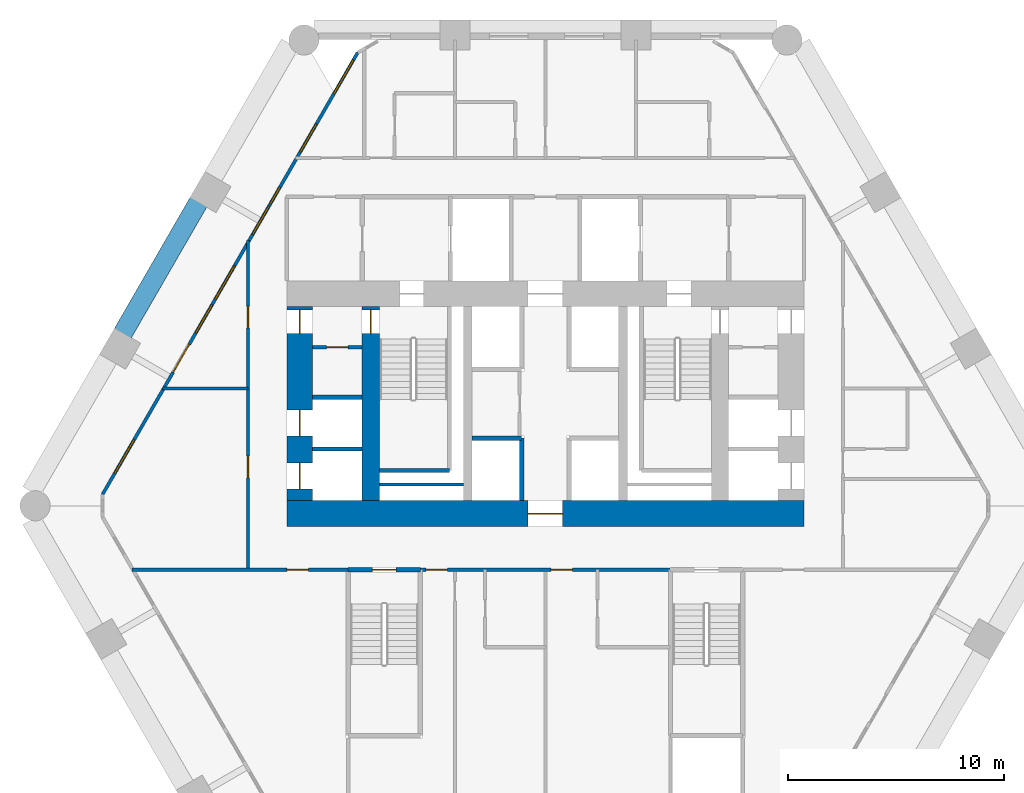
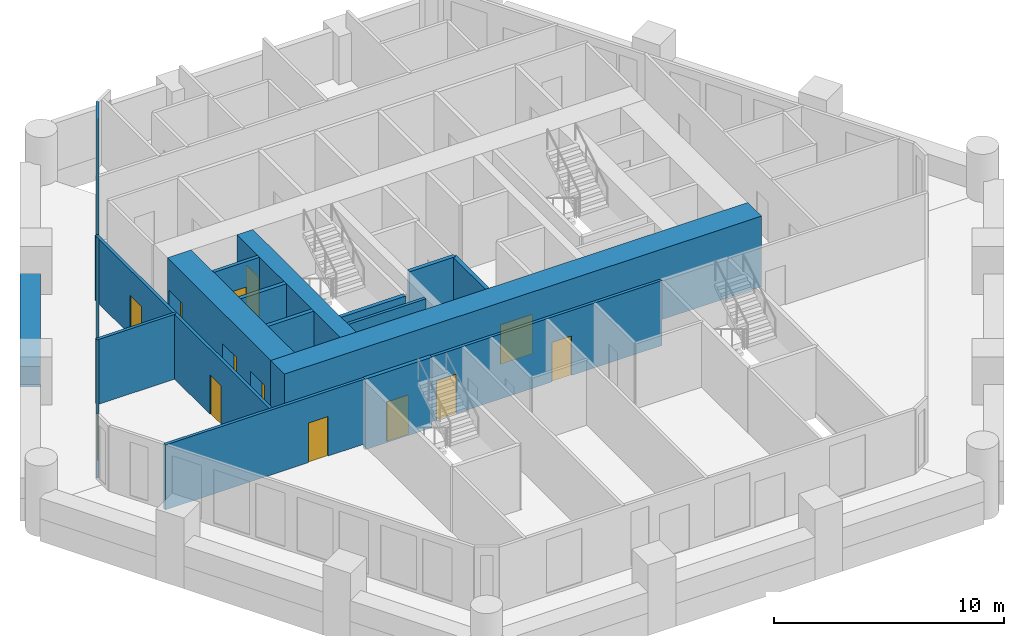
# One storey, part 3 of 8: 17 walls, 13 doors, 7 windows, 20 openings.
"""IFC4 building model written with IfcOpenShell, lengths in metres."""

import ifcopenshell
import ifcopenshell.guid

model = None  # the IFC model being written
_history = None  # IfcOwnerHistory: only IFC2X3 demands one
_inside = {}  # id of a spatial element -> (the spatial element, [elements in it])
_under = {}  # id of a project, library or spatial element -> (it, [spatial elements below it])
_declared = {}  # id of a project -> (the project, [libraries it declares])
_typed = {}  # id of a type object -> (the type object, [elements of that type])
_made_of = {}  # id of a material, layer set ... -> (it, [elements and type objects made of it])


def new_model(schema):
    """Start an empty IFC model of exactly this schema.

    Asked for "IFC4X3", IfcOpenShell would pick the latest addendum, in which some entities
    have other attributes; the version numbers below select the first issue.
    IFC2X3 requires an IfcOwnerHistory on every rooted entity: one is made here for all.
    """
    global model, _history
    if schema == "IFC4X3":
        model = ifcopenshell.file(schema_version=(4, 3, 0, 0))
    else:
        model = ifcopenshell.file(schema=schema)
    _inside.clear()
    _under.clear()
    _declared.clear()
    _typed.clear()
    _made_of.clear()
    _history = None
    if model.schema == "IFC2X3":
        org = make("IfcOrganization", Name="unknown")
        user = make(
            "IfcPersonAndOrganization",
            ThePerson=make("IfcPerson", FamilyName="unknown"),
            TheOrganization=org,
        )
        app = make(
            "IfcApplication",
            ApplicationDeveloper=org,
            Version="unknown",
            ApplicationFullName="unknown",
            ApplicationIdentifier="unknown",
        )
        _history = make(
            "IfcOwnerHistory",
            OwningUser=user,
            OwningApplication=app,
            ChangeAction="ADDED",
            CreationDate=0,
        )
    return model


def make(cls, **values):
    """One entity of the class cls with the attributes given. An attribute that is None is left unset."""
    return model.create_entity(
        cls, **{name: value for name, value in values.items() if value is not None}
    )


def rooted(cls, **values):
    """An entity with a GlobalId (a new one), such as an element, a storey or a relation."""
    return make(cls, GlobalId=ifcopenshell.guid.new(), OwnerHistory=_history, **values)


def si_unit(unit_type, name, prefix=None):
    """IfcSIUnit, for example si_unit("LENGTHUNIT", "METRE", prefix="MILLI")."""
    return make("IfcSIUnit", UnitType=unit_type, Prefix=prefix, Name=name)


def assignment(units):
    """IfcUnitAssignment: the units of a project."""
    return None if units is None else make("IfcUnitAssignment", Units=units)


def point(xyz):
    """IfcCartesianPoint."""
    return None if xyz is None else make("IfcCartesianPoint", Coordinates=xyz)


def direction(xyz):
    """IfcDirection."""
    return None if xyz is None else make("IfcDirection", DirectionRatios=xyz)


def frame(location, z_axis=None, x_axis=None):
    """IfcAxis2Placement3D, a coordinate frame: its origin and axes. An axis left out is left unset."""
    return make(
        "IfcAxis2Placement3D",
        Location=point(location),
        Axis=direction(z_axis),
        RefDirection=direction(x_axis),
    )


def frame_2d(location, x_axis=None):
    """IfcAxis2Placement2D, a coordinate frame in the plane: its origin and x axis."""
    return make(
        "IfcAxis2Placement2D", Location=point(location), RefDirection=direction(x_axis)
    )


def origin():
    """The frame at (0, 0, 0) with its axes left unset."""
    return frame((0.0, 0.0, 0.0))


def place(relative_to, where):
    """IfcLocalPlacement: puts the frame where relative to a parent placement (None: the world)."""
    return make(
        "IfcLocalPlacement", PlacementRelTo=relative_to, RelativePlacement=where
    )


def context(
    kind, dimensions, precision=None, world=None, true_north=None, identifier=None
):
    """IfcGeometricRepresentationContext, for example the 3D "Model" context."""
    return make(
        "IfcGeometricRepresentationContext",
        ContextIdentifier=identifier,
        ContextType=kind,
        CoordinateSpaceDimension=dimensions,
        Precision=precision,
        WorldCoordinateSystem=world,
        TrueNorth=true_north,
    )


def subcontext(parent, identifier, kind, view, scale=None):
    """IfcGeometricRepresentationSubContext, for example "Body" below "Model"."""
    return make(
        "IfcGeometricRepresentationSubContext",
        ContextIdentifier=identifier,
        ContextType=kind,
        ParentContext=parent,
        TargetScale=scale,
        TargetView=view,
    )


def project(units=None, contexts=None):
    """IfcProject with its units and contexts."""
    return rooted(
        "IfcProject",
        Name="project",
        RepresentationContexts=contexts,
        UnitsInContext=assignment(units),
    )


def spatial(cls, under=None, at=None, **own):
    """A site, building, storey or space (cls), placed at a placement, below another one or the project."""
    s = rooted(cls, ObjectPlacement=at, **own)
    if under is not None:
        _under.setdefault(under.id(), (under, []))[1].append(s)
    return s


def profile(cls, at=None, kind="AREA", **sizes):
    """A parametric profile (cls). Its sizes go by their IFC names, for example OverallWidth=200.0."""
    return make(cls, ProfileType=kind, Position=at, **sizes)


def rectangle(**sizes):
    """IfcRectangleProfileDef."""
    return profile("IfcRectangleProfileDef", **sizes)


def extrude(swept, where, along, depth):
    """IfcExtrudedAreaSolid: the profile swept, set in the frame where, extruded along a direction by depth."""
    return make(
        "IfcExtrudedAreaSolid",
        SweptArea=swept,
        Position=where,
        ExtrudedDirection=direction(along),
        Depth=depth,
    )


def shape(context_of_items, identifier, shape_type, items):
    """IfcShapeRepresentation: the items that make up one representation, for example the "Body"."""
    return make(
        "IfcShapeRepresentation",
        ContextOfItems=context_of_items,
        RepresentationIdentifier=identifier,
        RepresentationType=shape_type,
        Items=items,
    )


def material(Name=None, Category=None):
    """IfcMaterial."""
    return make("IfcMaterial", Name=Name, Category=Category)


def layer(
    of_material, thickness, ventilated=None, Name=None, Category=None, Priority=None
):
    """IfcMaterialLayer: one layer of a wall or slab, of a material (None: an air gap)."""
    return make(
        "IfcMaterialLayer",
        Material=of_material,
        LayerThickness=thickness,
        IsVentilated=ventilated,
        Name=Name,
        Category=Category,
        Priority=Priority,
    )


def layer_set(layers, Name=None):
    """IfcMaterialLayerSet."""
    return make("IfcMaterialLayerSet", MaterialLayers=layers, LayerSetName=Name)


def made_of(thing, what):
    """Note that an element or type object is made of a material, layer set ...; save() writes the relation."""
    if what is not None:
        _made_of.setdefault(what.id(), (what, []))[1].append(thing)
    return thing


def type_object(cls, material=None, **own):
    """A type object (cls), such as IfcWallType, which elements share."""
    return made_of(rooted(cls, **own), material)


def element(
    cls,
    number,
    at=None,
    inside=None,
    cuts=None,
    type_object=None,
    material=None,
    context=None,
    identifier="Body",
    shape_type=None,
    held_by="IfcProductDefinitionShape",
    body=None,
    shapes=None,
    **own,
):
    """One element of the class cls, such as IfcWall. Its Tag is "e" and its number.

    at: its placement. inside: the storey or other place that contains it. cuts: it is an
    opening in that element (IfcRelVoidsElement). A single representation is given by context,
    identifier, shape_type and body (its items); several are given by shapes. held_by: the class
    of the entity that holds the representations. save() writes the other relations.
    """
    e = rooted(cls, Tag="e%d" % number, ObjectPlacement=at, **own)
    if body is not None:
        shapes = [shape(context, identifier, shape_type, body)]
    if shapes is not None:
        e.Representation = make(held_by, Representations=shapes)
    if inside is not None:
        _inside.setdefault(inside.id(), (inside, []))[1].append(e)
    if cuts is not None:
        rooted(
            "IfcRelVoidsElement", RelatingBuildingElement=cuts, RelatedOpeningElement=e
        )
    if type_object is not None:
        _typed.setdefault(type_object.id(), (type_object, []))[1].append(e)
    return made_of(e, material)


def fill(opening, filler):
    """IfcRelFillsElement: the door or window that sits in an opening."""
    return rooted(
        "IfcRelFillsElement",
        RelatingOpeningElement=opening,
        RelatedBuildingElement=filler,
    )


def aggregate(whole, parts):
    """IfcRelAggregates: a whole, such as a stair, and the parts it consists of."""
    return rooted("IfcRelAggregates", RelatingObject=whole, RelatedObjects=parts)


def save(model, path):
    """Write the relations noted so far, then the file.

    IfcRelAggregates (storeys below a building ...), IfcRelContainedInSpatialStructure (elements
    in a storey), IfcRelDefinesByType, IfcRelAssociatesMaterial and IfcRelDeclares: one each for
    every whole, place, type object, material and project.
    """
    for whole, parts in _under.values():
        aggregate(whole, parts)
    for where, things in _inside.values():
        rooted(
            "IfcRelContainedInSpatialStructure",
            RelatedElements=things,
            RelatingStructure=where,
        )
    for kind, things in _typed.values():
        rooted("IfcRelDefinesByType", RelatedObjects=things, RelatingType=kind)
    for what, things in _made_of.values():
        rooted("IfcRelAssociatesMaterial", RelatedObjects=things, RelatingMaterial=what)
    for by, libraries in _declared.values():
        rooted("IfcRelDeclares", RelatingContext=by, RelatedDefinitions=libraries)
    model.write(path)


model = new_model("IFC4")

# Units and contexts
model_context = context("Model", 3, precision=1e-05, world=origin(), true_north=direction((0.0, 1.0)))
body_context = subcontext(model_context, "Body", "Model", "MODEL_VIEW")
ifc_project = project(units=[si_unit("LENGTHUNIT", "METRE"), si_unit("AREAUNIT", "SQUARE_METRE"), si_unit("VOLUMEUNIT", "CUBIC_METRE"), si_unit("PLANEANGLEUNIT", "RADIAN"), si_unit("MASSUNIT", "GRAM", prefix="KILO")], contexts=[model_context])

# Site, building, storey
site_placement = place(None, origin())
site = spatial("IfcSite", under=ifc_project, at=site_placement, CompositionType="ELEMENT")
building_placement = place(site_placement, origin())
building = spatial("IfcBuilding", under=site, at=building_placement, Name="Ostrander Bayou Hotel Tower", CompositionType="ELEMENT")
storey_placement = place(building_placement, frame((0.0, 0.0, 61.75)))
storey = spatial("IfcBuildingStorey", under=building, at=storey_placement, Name="L15", CompositionType="ELEMENT", Elevation=61.75)

# Wall, opening, door
ifc_material_1 = material(Name="Concrete f'c 70 MPa", Category="concrete")
ifc_layer_1 = layer(ifc_material_1, 1.199951171875)
ifc_layer_set_1 = layer_set([ifc_layer_1], Name="CW1 core wall 1200 mm f'c 70 MPa")
wall_type_1 = type_object("IfcWallType", Name="CW1 core wall 1200 mm f'c 70 MPa", PredefinedType="SHEAR", material=ifc_layer_set_1)
wall_1_placement = place(storey_placement, frame((-12.0, -1.10009765625, -0.300048828125), z_axis=(0.0, 0.0, 1.0), x_axis=(1.0, 0.0, 0.0)))
wall_1 = element("IfcWall", 1, at=wall_1_placement, inside=storey, type_object=wall_type_1, Name="CW1 L15 S", PredefinedType="SHEAR", context=body_context, shape_type="SweptSolid", body=[
    extrude(rectangle(XDim=24.0, YDim=1.199951171875, at=frame_2d((12.0, 0.0))), origin(), (0.0, 0.0, 1.0), 3.75),
])
opening_1_placement = place(wall_1_placement, frame((11.199951171875, 0.0, 0.0)))
opening_1 = element("IfcOpeningElement", 2, at=opening_1_placement, cuts=wall_1, Name="Opening T15-001", PredefinedType="OPENING", context=body_context, shape_type="SweptSolid", body=[
    extrude(rectangle(XDim=1.60009765625, YDim=2.10009765625, at=frame_2d((0.800048828125, 1.050048828125))), frame((0.0, 0.60009765625, 0.0), z_axis=(0.0, -1.0, 0.0), x_axis=(1.0, 0.0, 0.0)), (0.0, 0.0, 1.0), 1.199951171875),
])
ifc_material_2 = material(Name="Timber door leaf", Category="wood")
door_type_1 = type_object("IfcDoorType", Name="D13 double door 1600 x 2100 mm, 1 hour", OperationType="SINGLE_SWING_LEFT", PredefinedType="DOOR", material=ifc_material_2)
door_1_placement = place(opening_1_placement, origin())
door_1 = element("IfcDoor", 3, at=door_1_placement, inside=storey, type_object=door_type_1, Name="dr:L15:001", OperationType="DOUBLE_DOOR_SINGLE_SWING", OverallHeight=2.10009765625, OverallWidth=1.60009765625, PredefinedType="DOOR", context=body_context, shape_type="SweptSolid", body=[
    extrude(rectangle(XDim=1.60009765625, YDim=2.10009765625, at=frame_2d((0.800048828125, 1.050048828125))), frame((0.0, 0.02490234375, 0.0), z_axis=(0.0, -1.0, 0.0), x_axis=(1.0, 0.0, 0.0)), (0.0, 0.0, 1.0), 0.050048828125),
])
fill(opening_1, door_1)

# Wall, openings, doors
wall_2_placement = place(storey_placement, frame((-11.39990234375, -0.5, -0.300048828125), z_axis=(0.0, 0.0, 1.0), x_axis=(0.0, 1.0, 0.0)))
wall_2 = element("IfcWall", 4, at=wall_2_placement, inside=storey, type_object=wall_type_1, Name="CW1 L15 RW", PredefinedType="SHEAR", context=body_context, shape_type="SweptSolid", body=[
    extrude(rectangle(XDim=9.0, YDim=1.199951171875, at=frame_2d((4.5, 0.0))), origin(), (0.0, 0.0, 1.0), 3.75),
])
opening_2_placement = place(wall_2_placement, frame((7.75, 0.0, 0.0)))
opening_2 = element("IfcOpeningElement", 5, at=opening_2_placement, cuts=wall_2, Name="Opening T15-016", PredefinedType="OPENING", context=body_context, shape_type="SweptSolid", body=[
    extrude(rectangle(XDim=1.10009765625, YDim=2.10009765625, at=frame_2d((0.550048828125, 1.050048828125))), frame((0.0, 0.60009765625, 0.0), z_axis=(0.0, -1.0, 0.0), x_axis=(1.0, 0.0, 0.0)), (0.0, 0.0, 1.0), 1.199951171875),
])
opening_3_placement = place(wall_2_placement, frame((0.550048828125, 0.0, 0.0)))
opening_3 = element("IfcOpeningElement", 6, at=opening_3_placement, cuts=wall_2, Name="Opening T15-017", PredefinedType="OPENING", context=body_context, shape_type="SweptSolid", body=[
    extrude(rectangle(XDim=1.199951171875, YDim=2.10009765625, at=frame_2d((0.60009765625, 1.050048828125))), frame((0.0, 0.60009765625, 0.0), z_axis=(0.0, -1.0, 0.0), x_axis=(1.0, 0.0, 0.0)), (0.0, 0.0, 1.0), 1.199951171875),
])
opening_4_placement = place(wall_2_placement, frame((3.0, 0.0, 0.0)))
opening_4 = element("IfcOpeningElement", 7, at=opening_4_placement, cuts=wall_2, Name="Opening T15-018", PredefinedType="OPENING", context=body_context, shape_type="SweptSolid", body=[
    extrude(rectangle(XDim=1.199951171875, YDim=2.10009765625, at=frame_2d((0.60009765625, 1.050048828125))), frame((0.0, 0.60009765625, 0.0), z_axis=(0.0, -1.0, 0.0), x_axis=(1.0, 0.0, 0.0)), (0.0, 0.0, 1.0), 1.199951171875),
])
ifc_material_3 = material(Name="Timber door leaf", Category="wood")
door_type_2 = type_object("IfcDoorType", Name="D5 stair door 1100 x 2100 mm, 90 minute", OperationType="SINGLE_SWING_LEFT", PredefinedType="DOOR", material=ifc_material_3)
door_2_placement = place(opening_2_placement, origin())
door_2 = element("IfcDoor", 8, at=door_2_placement, inside=storey, type_object=door_type_2, Name="dr:L15:016", OperationType="SINGLE_SWING_LEFT", OverallHeight=2.10009765625, OverallWidth=1.10009765625, PredefinedType="DOOR", context=body_context, shape_type="SweptSolid", body=[
    extrude(rectangle(XDim=1.10009765625, YDim=2.10009765625, at=frame_2d((0.550048828125, 1.050048828125))), frame((0.0, 0.02490234375, 0.0), z_axis=(0.0, -1.0, 0.0), x_axis=(1.0, 0.0, 0.0)), (0.0, 0.0, 1.0), 0.050048828125),
])
fill(opening_2, door_2)
ifc_material_4 = material(Name="Stainless steel sliding door", Category="steel")
door_type_3 = type_object("IfcDoorType", Name="LD1 lift landing door 1200 x 2100 mm", OperationType="SINGLE_SWING_LEFT", PredefinedType="DOOR", material=ifc_material_4)
door_3_placement = place(opening_3_placement, origin())
door_3 = element("IfcDoor", 9, at=door_3_placement, inside=storey, type_object=door_type_3, Name="dr:L15:017", OperationType="SLIDING_TO_LEFT", OverallHeight=2.10009765625, OverallWidth=1.199951171875, PredefinedType="DOOR", context=body_context, shape_type="SweptSolid", body=[
    extrude(rectangle(XDim=1.199951171875, YDim=2.10009765625, at=frame_2d((0.60009765625, 1.050048828125))), frame((0.0, 0.02490234375, 0.0), z_axis=(0.0, -1.0, 0.0), x_axis=(1.0, 0.0, 0.0)), (0.0, 0.0, 1.0), 0.050048828125),
])
fill(opening_3, door_3)
door_4_placement = place(opening_4_placement, origin())
door_4 = element("IfcDoor", 10, at=door_4_placement, inside=storey, type_object=door_type_3, Name="dr:L15:018", OperationType="SLIDING_TO_LEFT", OverallHeight=2.10009765625, OverallWidth=1.199951171875, PredefinedType="DOOR", context=body_context, shape_type="SweptSolid", body=[
    extrude(rectangle(XDim=1.199951171875, YDim=2.10009765625, at=frame_2d((0.60009765625, 1.050048828125))), frame((0.0, 0.02490234375, 0.0), z_axis=(0.0, -1.0, 0.0), x_axis=(1.0, 0.0, 0.0)), (0.0, 0.0, 1.0), 0.050048828125),
])
fill(opening_4, door_4)

# Wall, opening, door
ifc_material_5 = material(Name="Concrete f'c 70 MPa", Category="concrete")
ifc_layer_2 = layer(ifc_material_5, 0.800048828125)
ifc_layer_set_2 = layer_set([ifc_layer_2], Name="CW2 core spine wall 800 mm f'c 70 MPa")
wall_type_2 = type_object("IfcWallType", Name="CW2 core spine wall 800 mm f'c 70 MPa", PredefinedType="SHEAR", material=ifc_layer_set_2)
wall_3_placement = place(storey_placement, frame((-8.10009765625, -0.5, -0.300048828125), z_axis=(0.0, 0.0, 1.0), x_axis=(0.0, 1.0, 0.0)))
wall_3 = element("IfcWall", 11, at=wall_3_placement, inside=storey, type_object=wall_type_2, Name="CW2 L15 W", PredefinedType="SHEAR", context=body_context, shape_type="SweptSolid", body=[
    extrude(rectangle(XDim=9.0, YDim=0.800048828125, at=frame_2d((4.5, 0.0))), origin(), (0.0, 0.0, 1.0), 3.75),
])
opening_5_placement = place(wall_3_placement, frame((7.75, 0.0, 0.0)))
opening_5 = element("IfcOpeningElement", 12, at=opening_5_placement, cuts=wall_3, Name="Opening T15-004", PredefinedType="OPENING", context=body_context, shape_type="SweptSolid", body=[
    extrude(rectangle(XDim=1.10009765625, YDim=2.10009765625, at=frame_2d((0.550048828125, 1.050048828125))), frame((0.0, 0.39990234375, 0.0), z_axis=(0.0, -1.0, 0.0), x_axis=(1.0, 0.0, 0.0)), (0.0, 0.0, 1.0), 0.800048828125),
])
door_5_placement = place(opening_5_placement, origin())
door_5 = element("IfcDoor", 13, at=door_5_placement, inside=storey, type_object=door_type_2, Name="dr:L15:004", OperationType="SINGLE_SWING_RIGHT", OverallHeight=2.10009765625, OverallWidth=1.10009765625, PredefinedType="DOOR", context=body_context, shape_type="SweptSolid", body=[
    extrude(rectangle(XDim=1.10009765625, YDim=2.10009765625, at=frame_2d((0.550048828125, 1.050048828125))), frame((0.0, 0.02490234375, 0.0), z_axis=(0.0, -1.0, 0.0), x_axis=(1.0, 0.0, 0.0)), (0.0, 0.0, 1.0), 0.050048828125),
])
fill(opening_5, door_5)

# Wall, openings, door, windows
ifc_material_6 = material(Name="Aluminium framed insulated wall", Category="aluminium")
ifc_layer_3 = layer(ifc_material_6, 0.14990234375)
ifc_layer_set_3 = layer_set([ifc_layer_3], Name="GW1 glass-line wall 150 mm")
wall_type_3 = type_object("IfcWallType", Name="GW1 glass-line wall 150 mm", PredefinedType="SOLIDWALL", material=ifc_layer_set_3)
wall_4_placement = place(storey_placement, frame((-8.708984375, 20.29248046875, 0.0), z_axis=(0.0, 0.0, 1.0), x_axis=(-0.500005515081, -0.866022219628, 0.0)))
wall_4 = element("IfcWall", 14, at=wall_4_placement, inside=storey, type_object=wall_type_3, Name="GW1 L15 NW 1", PredefinedType="SOLIDWALL", context=body_context, shape_type="SweptSolid", body=[
    extrude(rectangle(XDim=23.667236328125, YDim=0.14990234375, at=frame_2d((11.83349609375, 0.0))), origin(), (0.0, 0.0, 1.0), 3.449951171875),
])
opening_6_placement = place(wall_4_placement, frame((3.825439453125, 0.0, 0.14990234375)))
opening_6 = element("IfcOpeningElement", 15, at=opening_6_placement, cuts=wall_4, Name="Opening W11", PredefinedType="OPENING", context=body_context, shape_type="SweptSolid", body=[
    extrude(rectangle(XDim=1.5, YDim=2.85009765625, at=frame_2d((0.75, 1.425048828125))), frame((0.0, 0.074951171875, 0.0), z_axis=(0.0, -1.0, 0.0), x_axis=(1.0, 0.0, 0.0)), (0.0, 0.0, 1.0), 0.14990234375),
])
opening_7_placement = place(wall_4_placement, frame((7.21923828125, 0.0, 0.14990234375)))
opening_7 = element("IfcOpeningElement", 16, at=opening_7_placement, cuts=wall_4, Name="Opening W15", PredefinedType="OPENING", context=body_context, shape_type="SweptSolid", body=[
    extrude(rectangle(XDim=0.89990234375, YDim=2.85009765625, at=frame_2d((0.449951171875, 1.425048828125))), frame((0.0, 0.074951171875, 0.0), z_axis=(0.0, -1.0, 0.0), x_axis=(1.0, 0.0, 0.0)), (0.0, 0.0, 1.0), 0.14990234375),
])
opening_8_placement = place(wall_4_placement, frame((8.253662109375, 0.0, 0.14990234375)))
opening_8 = element("IfcOpeningElement", 17, at=opening_8_placement, cuts=wall_4, Name="Opening W11", PredefinedType="OPENING", context=body_context, shape_type="SweptSolid", body=[
    extrude(rectangle(XDim=1.5, YDim=2.85009765625, at=frame_2d((0.75, 1.425048828125))), frame((0.0, 0.074951171875, 0.0), z_axis=(0.0, -1.0, 0.0), x_axis=(1.0, 0.0, 0.0)), (0.0, 0.0, 1.0), 0.14990234375),
])
opening_9_placement = place(wall_4_placement, frame((11.419189453125, 0.0, 0.14990234375)))
opening_9 = element("IfcOpeningElement", 18, at=opening_9_placement, cuts=wall_4, Name="Opening W1", PredefinedType="OPENING", context=body_context, shape_type="SweptSolid", body=[
    extrude(rectangle(XDim=1.800048828125, YDim=2.85009765625, at=frame_2d((0.89990234375, 1.425048828125))), frame((0.0, 0.074951171875, 0.0), z_axis=(0.0, -1.0, 0.0), x_axis=(1.0, 0.0, 0.0)), (0.0, 0.0, 1.0), 0.14990234375),
])
opening_10_placement = place(wall_4_placement, frame((13.519287109375, 0.0, 0.14990234375)))
opening_10 = element("IfcOpeningElement", 19, at=opening_10_placement, cuts=wall_4, Name="Opening W11", PredefinedType="OPENING", context=body_context, shape_type="SweptSolid", body=[
    extrude(rectangle(XDim=1.5, YDim=2.85009765625, at=frame_2d((0.75, 1.425048828125))), frame((0.0, 0.074951171875, 0.0), z_axis=(0.0, -1.0, 0.0), x_axis=(1.0, 0.0, 0.0)), (0.0, 0.0, 1.0), 0.14990234375),
])
opening_11_placement = place(wall_4_placement, frame((15.63037109375, 0.0, 0.0)))
opening_11 = element("IfcOpeningElement", 20, at=opening_11_placement, cuts=wall_4, Name="Opening T15-800", PredefinedType="OPENING", context=body_context, shape_type="SweptSolid", body=[
    extrude(rectangle(XDim=1.5, YDim=2.39990234375, at=frame_2d((0.75, 1.199951171875))), frame((0.0, 0.074951171875, 0.0), z_axis=(0.0, -1.0, 0.0), x_axis=(1.0, 0.0, 0.0)), (0.0, 0.0, 1.0), 0.14990234375),
])
opening_12_placement = place(wall_4_placement, frame((0.40966796875, 0.0, 0.14990234375)))
opening_12 = element("IfcOpeningElement", 21, at=opening_12_placement, cuts=wall_4, Name="Opening W1", PredefinedType="OPENING", context=body_context, shape_type="SweptSolid", body=[
    extrude(rectangle(XDim=1.800048828125, YDim=2.72998046875, at=frame_2d((0.89990234375, 1.364990234375))), frame((0.0, 0.074951171875, 0.0), z_axis=(0.0, -1.0, 0.0), x_axis=(1.0, 0.0, 0.0)), (0.0, 0.0, 1.0), 0.14990234375),
])
opening_13_placement = place(wall_4_placement, frame((20.7431640625, 0.0, 0.14990234375)))
opening_13 = element("IfcOpeningElement", 22, at=opening_13_placement, cuts=wall_4, Name="Opening W1", PredefinedType="OPENING", context=body_context, shape_type="SweptSolid", body=[
    extrude(rectangle(XDim=1.800048828125, YDim=2.72998046875, at=frame_2d((0.89990234375, 1.364990234375))), frame((0.0, 0.074951171875, 0.0), z_axis=(0.0, -1.0, 0.0), x_axis=(1.0, 0.0, 0.0)), (0.0, 0.0, 1.0), 0.14990234375),
])
ifc_material_7 = material(Name="Aluminium and clear glass", Category="aluminium")
door_type_4 = type_object("IfcDoorType", Name="SD1 sliding glass door 1500 mm, zone 1", OperationType="SLIDING_TO_LEFT", PredefinedType="DOOR", material=ifc_material_7)
door_6_placement = place(opening_11_placement, origin())
door_6 = element("IfcDoor", 23, at=door_6_placement, inside=storey, type_object=door_type_4, Name="SD1 L15 NW 4", OperationType="SLIDING_TO_RIGHT", OverallHeight=2.39990234375, OverallWidth=1.5, PredefinedType="DOOR", context=body_context, shape_type="SweptSolid", body=[
    extrude(rectangle(XDim=1.5, YDim=2.39990234375, at=frame_2d((0.75, 1.199951171875))), frame((0.0, 0.02490234375, 0.0), z_axis=(0.0, -1.0, 0.0), x_axis=(1.0, 0.0, 0.0)), (0.0, 0.0, 1.0), 0.050048828125),
])
fill(opening_11, door_6)
ifc_material_8 = material(Name="Aluminium and clear glass", Category="aluminium")
window_type_1 = type_object("IfcWindowType", Name="W1 fixed window 1800 mm, zone 1", PartitioningType="SINGLE_PANEL", PredefinedType="WINDOW", material=ifc_material_8)
window_1_placement = place(opening_9_placement, origin())
window_1 = element("IfcWindow", 24, at=window_1_placement, inside=storey, type_object=window_type_1, Name="W1 L15 NW 3", OverallHeight=2.85009765625, OverallWidth=1.800048828125, PartitioningType="SINGLE_PANEL", PredefinedType="WINDOW", context=body_context, shape_type="SweptSolid", body=[
    extrude(rectangle(XDim=1.800048828125, YDim=2.85009765625, at=frame_2d((0.89990234375, 1.425048828125))), frame((0.0, 0.030029296875, 0.0), z_axis=(0.0, -1.0, 0.0), x_axis=(1.0, 0.0, 0.0)), (0.0, 0.0, 1.0), 0.06005859375),
])
fill(opening_9, window_1)
window_2_placement = place(opening_12_placement, origin())
window_2 = element("IfcWindow", 25, at=window_2_placement, inside=storey, type_object=window_type_1, Name="W1 L15 NW E11", OverallHeight=2.72998046875, OverallWidth=1.800048828125, PartitioningType="SINGLE_PANEL", PredefinedType="WINDOW", context=body_context, shape_type="SweptSolid", body=[
    extrude(rectangle(XDim=1.800048828125, YDim=2.72998046875, at=frame_2d((0.89990234375, 1.364990234375))), frame((0.0, 0.030029296875, 0.0), z_axis=(0.0, -1.0, 0.0), x_axis=(1.0, 0.0, 0.0)), (0.0, 0.0, 1.0), 0.06005859375),
])
fill(opening_12, window_2)
window_3_placement = place(opening_13_placement, origin())
window_3 = element("IfcWindow", 26, at=window_3_placement, inside=storey, type_object=window_type_1, Name="W1 L15 NW E21", OverallHeight=2.72998046875, OverallWidth=1.800048828125, PartitioningType="SINGLE_PANEL", PredefinedType="WINDOW", context=body_context, shape_type="SweptSolid", body=[
    extrude(rectangle(XDim=1.800048828125, YDim=2.72998046875, at=frame_2d((0.89990234375, 1.364990234375))), frame((0.0, 0.030029296875, 0.0), z_axis=(0.0, -1.0, 0.0), x_axis=(1.0, 0.0, 0.0)), (0.0, 0.0, 1.0), 0.06005859375),
])
fill(opening_13, window_3)
ifc_material_9 = material(Name="Aluminium and clear glass", Category="aluminium")
window_type_2 = type_object("IfcWindowType", Name="W11 fixed window 1500 mm, bath bay, zone 1", PartitioningType="SINGLE_PANEL", PredefinedType="WINDOW", material=ifc_material_9)
window_4_placement = place(opening_6_placement, origin())
window_4 = element("IfcWindow", 27, at=window_4_placement, inside=storey, type_object=window_type_2, Name="W11 L15 NW 1", OverallHeight=2.85009765625, OverallWidth=1.5, PartitioningType="SINGLE_PANEL", PredefinedType="WINDOW", context=body_context, shape_type="SweptSolid", body=[
    extrude(rectangle(XDim=1.5, YDim=2.85009765625, at=frame_2d((0.75, 1.425048828125))), frame((0.0, 0.030029296875, 0.0), z_axis=(0.0, -1.0, 0.0), x_axis=(1.0, 0.0, 0.0)), (0.0, 0.0, 1.0), 0.06005859375),
])
fill(opening_6, window_4)
window_5_placement = place(opening_8_placement, origin())
window_5 = element("IfcWindow", 28, at=window_5_placement, inside=storey, type_object=window_type_2, Name="W11 L15 NW 2", OverallHeight=2.85009765625, OverallWidth=1.5, PartitioningType="SINGLE_PANEL", PredefinedType="WINDOW", context=body_context, shape_type="SweptSolid", body=[
    extrude(rectangle(XDim=1.5, YDim=2.85009765625, at=frame_2d((0.75, 1.425048828125))), frame((0.0, 0.030029296875, 0.0), z_axis=(0.0, -1.0, 0.0), x_axis=(1.0, 0.0, 0.0)), (0.0, 0.0, 1.0), 0.06005859375),
])
fill(opening_8, window_5)
window_6_placement = place(opening_10_placement, origin())
window_6 = element("IfcWindow", 29, at=window_6_placement, inside=storey, type_object=window_type_2, Name="W11 L15 NW 3", OverallHeight=2.85009765625, OverallWidth=1.5, PartitioningType="SINGLE_PANEL", PredefinedType="WINDOW", context=body_context, shape_type="SweptSolid", body=[
    extrude(rectangle(XDim=1.5, YDim=2.85009765625, at=frame_2d((0.75, 1.425048828125))), frame((0.0, 0.030029296875, 0.0), z_axis=(0.0, -1.0, 0.0), x_axis=(1.0, 0.0, 0.0)), (0.0, 0.0, 1.0), 0.06005859375),
])
fill(opening_10, window_6)
ifc_material_10 = material(Name="Aluminium and clear glass", Category="aluminium")
window_type_3 = type_object("IfcWindowType", Name="W15 window 900 mm, zone 1", PartitioningType="SINGLE_PANEL", PredefinedType="WINDOW", material=ifc_material_10)
window_7_placement = place(opening_7_placement, origin())
window_7 = element("IfcWindow", 30, at=window_7_placement, inside=storey, type_object=window_type_3, Name="W15 L15 NW 2", OverallHeight=2.85009765625, OverallWidth=0.89990234375, PartitioningType="SINGLE_PANEL", PredefinedType="WINDOW", context=body_context, shape_type="SweptSolid", body=[
    extrude(rectangle(XDim=0.89990234375, YDim=2.85009765625, at=frame_2d((0.449951171875, 1.425048828125))), frame((0.0, 0.030029296875, 0.0), z_axis=(0.0, -1.0, 0.0), x_axis=(1.0, 0.0, 0.0)), (0.0, 0.0, 1.0), 0.06005859375),
])
fill(opening_7, window_7)

# Wall
ifc_material_11 = material(Name="Concrete f'c 40 MPa", Category="concrete")
ifc_layer_4 = layer(ifc_material_11, 0.89990234375)
ifc_layer_set_4 = layer_set([ifc_layer_4], Name="PA1 stone-faced parapet 900 mm")
wall_type_4 = type_object("IfcWallType", Name="PA1 stone-faced parapet 900 mm", PredefinedType="PARAPET", material=ifc_layer_set_4)
wall_5_placement = place(storey_placement, frame((-16.089111328125, 13.35986328125, 0.0), z_axis=(0.0, 0.0, 1.0), x_axis=(-0.499997206141, -0.866027016814, 0.0)))
element("IfcWall", 31, at=wall_5_placement, inside=storey, type_object=wall_type_4, Name="PA1 L15 NW-2", PredefinedType="PARAPET", context=body_context, shape_type="SweptSolid", body=[
    extrude(rectangle(XDim=7.05078125, YDim=0.89990234375, at=frame_2d((3.525390625, 0.0))), origin(), (0.0, 0.0, 1.0), 1.10009765625),
])

# Wall, opening, door
ifc_material_12 = material(Name="Gypsum board partition", Category="finish")
ifc_layer_5 = layer(ifc_material_12, 0.175048828125)
ifc_layer_set_5 = layer_set([ifc_layer_5], Name="PT4 corridor wall 175 mm, 1 hour")
wall_type_5 = type_object("IfcWallType", Name="PT4 corridor wall 175 mm, 1 hour", PredefinedType="PARTITIONING", material=ifc_layer_set_5)
wall_6_placement = place(storey_placement, frame((-10.800048828125, 6.614013671875, 0.0), z_axis=(0.0, 0.0, 1.0), x_axis=(1.0, 0.0, 0.0)))
wall_6 = element("IfcWall", 32, at=wall_6_placement, inside=storey, type_object=wall_type_5, Name="cs:L15:035", PredefinedType="PARTITIONING", context=body_context, shape_type="SweptSolid", body=[
    extrude(rectangle(XDim=2.300048828125, YDim=0.175048828125, at=frame_2d((1.14990234375, 0.0))), origin(), (0.0, 0.0, 1.0), 3.449951171875),
])
opening_14_placement = place(wall_6_placement, frame((0.64990234375, 0.0, 0.0)))
opening_14 = element("IfcOpeningElement", 33, at=opening_14_placement, cuts=wall_6, Name="Opening T15-015", PredefinedType="OPENING", context=body_context, shape_type="SweptSolid", body=[
    extrude(rectangle(XDim=1.0, YDim=2.10009765625, at=frame_2d((0.5, 1.050048828125))), frame((0.0, 0.08740234375, 0.0), z_axis=(0.0, -1.0, 0.0), x_axis=(1.0, 0.0, 0.0)), (0.0, 0.0, 1.0), 0.175048828125),
])
ifc_material_13 = material(Name="Timber door leaf", Category="wood")
door_type_5 = type_object("IfcDoorType", Name="D4 corridor door 1000 x 2100 mm, 1 hour", OperationType="SINGLE_SWING_LEFT", PredefinedType="DOOR", material=ifc_material_13)
door_7_placement = place(opening_14_placement, origin())
door_7 = element("IfcDoor", 34, at=door_7_placement, inside=storey, type_object=door_type_5, Name="dr:L15:015", OperationType="SINGLE_SWING_LEFT", OverallHeight=2.10009765625, OverallWidth=1.0, PredefinedType="DOOR", context=body_context, shape_type="SweptSolid", body=[
    extrude(rectangle(XDim=1.0, YDim=2.10009765625, at=frame_2d((0.5, 1.050048828125))), frame((0.0, 0.02490234375, 0.0), z_axis=(0.0, -1.0, 0.0), x_axis=(1.0, 0.0, 0.0)), (0.0, 0.0, 1.0), 0.050048828125),
])
fill(opening_14, door_7)

# Walls
ifc_material_14 = material(Name="Masonry block", Category="masonry")
ifc_layer_6 = layer(ifc_material_14, 0.199951171875)
ifc_layer_set_6 = layer_set([ifc_layer_6], Name="PT6 lift shaft wall 200 mm masonry, 2 hour")
wall_type_6 = type_object("IfcWallType", Name="PT6 lift shaft wall 200 mm masonry, 2 hour", PredefinedType="PARTITIONING", material=ifc_layer_set_6)
wall_7_placement = place(storey_placement, frame((-3.39990234375, 2.39990234375, 0.0), z_axis=(0.0, 0.0, 1.0), x_axis=(1.0, 0.0, 0.0)))
element("IfcWall", 35, at=wall_7_placement, inside=storey, type_object=wall_type_6, Name="cs:L15:001", PredefinedType="PARTITIONING", context=body_context, shape_type="SweptSolid", body=[
    extrude(rectangle(XDim=2.2998046875, YDim=0.199951171875, at=frame_2d((1.14990234375, 0.0))), origin(), (0.0, 0.0, 1.0), 3.449951171875),
])
wall_8_placement = place(storey_placement, frame((-1.10009765625, -0.5, 0.0), z_axis=(0.0, 0.0, 1.0), x_axis=(0.0, 1.0, 0.0)))
element("IfcWall", 36, at=wall_8_placement, inside=storey, type_object=wall_type_6, Name="cs:L15:005", PredefinedType="PARTITIONING", context=body_context, shape_type="SweptSolid", body=[
    extrude(rectangle(XDim=2.89990234375, YDim=0.199951171875, at=frame_2d((1.449951171875, 0.0))), origin(), (0.0, 0.0, 1.0), 3.449951171875),
])
for number, where, z_axis, x_axis, name in (
    (37, (-10.800048828125, 1.89990234375, 0.0), (0.0, 0.0, 1.0), (1.0, 0.0, 0.0), "cs:L15:033"),
    (38, (-10.800048828125, 4.300048828125, 0.0), (0.0, 0.0, 1.0), (1.0, 0.0, 0.0), "cs:L15:034"),
):
    element("IfcWall", number, at=place(storey_placement, frame(where, z_axis=z_axis, x_axis=x_axis)), inside=storey, type_object=wall_type_6, Name=name, PredefinedType="PARTITIONING", context=body_context, shape_type="SweptSolid", body=[
        extrude(rectangle(XDim=2.300048828125, YDim=0.199951171875, at=frame_2d((1.14990234375, 0.0))), origin(), (0.0, 0.0, 1.0), 3.449951171875),
    ])
ifc_material_15 = material(Name="Gypsum board partition", Category="finish")
ifc_layer_7 = layer(ifc_material_15, 0.14990234375)
ifc_layer_set_7 = layer_set([ifc_layer_7], Name="PT7 riser wall 150 mm, 2 hour")
wall_type_7 = type_object("IfcWallType", Name="PT7 riser wall 150 mm, 2 hour", PredefinedType="PARTITIONING", material=ifc_layer_set_7)
wall_9_placement = place(storey_placement, frame((-7.699951171875, 0.25, 0.0), z_axis=(0.0, 0.0, 1.0), x_axis=(1.0, 0.0, 0.0)))
element("IfcWall", 39, at=wall_9_placement, inside=storey, type_object=wall_type_7, Name="cs:L15:011", PredefinedType="PARTITIONING", context=body_context, shape_type="SweptSolid", body=[
    extrude(rectangle(XDim=3.89990234375, YDim=0.14990234375, at=frame_2d((1.949951171875, 0.0))), origin(), (0.0, 0.0, 1.0), 3.449951171875),
])

# Wall, opening, door
ifc_material_16 = material(Name="Gypsum board partition", Category="finish")
ifc_layer_8 = layer(ifc_material_16, 0.14990234375)
ifc_layer_set_8 = layer_set([ifc_layer_8], Name="PT8 service band wall 150 mm, 1 hour")
wall_type_8 = type_object("IfcWallType", Name="PT8 service band wall 150 mm, 1 hour", PredefinedType="PARTITIONING", material=ifc_layer_set_8)
wall_10_placement = place(storey_placement, frame((-19.19091796875, -3.699951171875, 0.0), z_axis=(0.0, 0.0, 1.0), x_axis=(1.0, 0.0, 0.0)))
wall_10 = element("IfcWall", 40, at=wall_10_placement, inside=storey, type_object=wall_type_8, Name="gw:L15:003", PredefinedType="PARTITIONING", context=body_context, shape_type="SweptSolid", body=[
    extrude(rectangle(XDim=10.031005859375, YDim=0.14990234375, at=frame_2d((5.015625, 0.0))), origin(), (0.0, 0.0, 1.0), 3.449951171875),
])
opening_15_placement = place(wall_10_placement, frame((7.19091796875, 0.0, 0.0)))
opening_15 = element("IfcOpeningElement", 41, at=opening_15_placement, cuts=wall_10, Name="Opening T15-403", PredefinedType="OPENING", context=body_context, shape_type="SweptSolid", body=[
    extrude(rectangle(XDim=1.0, YDim=2.10009765625, at=frame_2d((0.5, 1.050048828125))), frame((0.0, 0.074951171875, 0.0), z_axis=(0.0, -1.0, 0.0), x_axis=(1.0, 0.0, 0.0)), (0.0, 0.0, 1.0), 0.14990234375),
])
ifc_material_17 = material(Name="Timber door leaf", Category="wood")
door_type_6 = type_object("IfcDoorType", Name="D15 room door 1000 x 2100 mm", OperationType="SINGLE_SWING_LEFT", PredefinedType="DOOR", material=ifc_material_17)
door_8_placement = place(opening_15_placement, origin())
door_8 = element("IfcDoor", 42, at=door_8_placement, inside=storey, type_object=door_type_6, Name="dr:L15:403", OperationType="SINGLE_SWING_LEFT", OverallHeight=2.10009765625, OverallWidth=1.0, PredefinedType="DOOR", context=body_context, shape_type="SweptSolid", body=[
    extrude(rectangle(XDim=1.0, YDim=2.10009765625, at=frame_2d((0.5, 1.050048828125))), frame((0.0, 0.02490234375, 0.0), z_axis=(0.0, -1.0, 0.0), x_axis=(1.0, 0.0, 0.0)), (0.0, 0.0, 1.0), 0.050048828125),
])
fill(opening_15, door_8)

# Wall, openings, doors
wall_11_placement = place(storey_placement, frame((-5.7900390625, -3.699951171875, 0.0), z_axis=(0.0, 0.0, 1.0), x_axis=(1.0, 0.0, 0.0)))
wall_11 = element("IfcWall", 43, at=wall_11_placement, inside=storey, type_object=wall_type_8, Name="gw:L15:004", PredefinedType="PARTITIONING", context=body_context, shape_type="SweptSolid", body=[
    extrude(rectangle(XDim=11.580078125, YDim=0.14990234375, at=frame_2d((5.7900390625, 0.0))), origin(), (0.0, 0.0, 1.0), 3.449951171875),
])
opening_16_placement = place(wall_11_placement, frame((0.239990234375, 0.0, 0.0)))
opening_16 = element("IfcOpeningElement", 44, at=opening_16_placement, cuts=wall_11, Name="Opening T15-400", PredefinedType="OPENING", context=body_context, shape_type="SweptSolid", body=[
    extrude(rectangle(XDim=1.0, YDim=2.10009765625, at=frame_2d((0.5, 1.050048828125))), frame((0.0, 0.074951171875, 0.0), z_axis=(0.0, -1.0, 0.0), x_axis=(1.0, 0.0, 0.0)), (0.0, 0.0, 1.0), 0.14990234375),
])
opening_17_placement = place(wall_11_placement, frame((6.0400390625, 0.0, 0.0)))
opening_17 = element("IfcOpeningElement", 45, at=opening_17_placement, cuts=wall_11, Name="Opening T15-404", PredefinedType="OPENING", context=body_context, shape_type="SweptSolid", body=[
    extrude(rectangle(XDim=1.0, YDim=2.10009765625, at=frame_2d((0.5, 1.050048828125))), frame((0.0, 0.074951171875, 0.0), z_axis=(0.0, -1.0, 0.0), x_axis=(1.0, 0.0, 0.0)), (0.0, 0.0, 1.0), 0.14990234375),
])
ifc_material_18 = material(Name="Timber door leaf", Category="wood")
door_type_7 = type_object("IfcDoorType", Name="D1 guest room door 1000 x 2100 mm, 30 minute", OperationType="SINGLE_SWING_LEFT", PredefinedType="DOOR", material=ifc_material_18)
door_9_placement = place(opening_16_placement, origin())
door_9 = element("IfcDoor", 46, at=door_9_placement, inside=storey, type_object=door_type_7, Name="dr:L15:400", OperationType="SINGLE_SWING_LEFT", OverallHeight=2.10009765625, OverallWidth=1.0, PredefinedType="DOOR", context=body_context, shape_type="SweptSolid", body=[
    extrude(rectangle(XDim=1.0, YDim=2.10009765625, at=frame_2d((0.5, 1.050048828125))), frame((0.0, 0.02490234375, 0.0), z_axis=(0.0, -1.0, 0.0), x_axis=(1.0, 0.0, 0.0)), (0.0, 0.0, 1.0), 0.050048828125),
])
fill(opening_16, door_9)
door_10_placement = place(opening_17_placement, origin())
door_10 = element("IfcDoor", 47, at=door_10_placement, inside=storey, type_object=door_type_7, Name="dr:L15:404", OperationType="SINGLE_SWING_LEFT", OverallHeight=2.10009765625, OverallWidth=1.0, PredefinedType="DOOR", context=body_context, shape_type="SweptSolid", body=[
    extrude(rectangle(XDim=1.0, YDim=2.10009765625, at=frame_2d((0.5, 1.050048828125))), frame((0.0, 0.02490234375, 0.0), z_axis=(0.0, -1.0, 0.0), x_axis=(1.0, 0.0, 0.0)), (0.0, 0.0, 1.0), 0.050048828125),
])
fill(opening_17, door_10)

# Wall
wall_12_placement = place(storey_placement, frame((-17.762939453125, 4.699951171875, 0.0), z_axis=(0.0, 0.0, 1.0), x_axis=(1.0, 0.0, 0.0)))
element("IfcWall", 48, at=wall_12_placement, inside=storey, type_object=wall_type_8, Name="gw:L15:008", PredefinedType="PARTITIONING", context=body_context, shape_type="SweptSolid", body=[
    extrude(rectangle(XDim=3.962890625, YDim=0.14990234375, at=frame_2d((1.9814453125, 0.0))), origin(), (0.0, 0.0, 1.0), 3.449951171875),
])

# Wall, openings, doors
wall_13_placement = place(storey_placement, frame((-13.800048828125, -3.699951171875, 0.0), z_axis=(0.0, 0.0, 1.0), x_axis=(0.0, 1.0, 0.0)))
wall_13 = element("IfcWall", 49, at=wall_13_placement, inside=storey, type_object=wall_type_8, Name="gw:L15:034", PredefinedType="PARTITIONING", context=body_context, shape_type="SweptSolid", body=[
    extrude(rectangle(XDim=15.264892578125, YDim=0.14990234375, at=frame_2d((7.63232421875, 0.0))), origin(), (0.0, 0.0, 1.0), 3.449951171875),
])
opening_18_placement = place(wall_13_placement, frame((4.262939453125, 0.0, 0.0)))
opening_18 = element("IfcOpeningElement", 50, at=opening_18_placement, cuts=wall_13, Name="Opening T15-407", PredefinedType="OPENING", context=body_context, shape_type="SweptSolid", body=[
    extrude(rectangle(XDim=1.0, YDim=2.10009765625, at=frame_2d((0.5, 1.050048828125))), frame((0.0, 0.074951171875, 0.0), z_axis=(0.0, -1.0, 0.0), x_axis=(1.0, 0.0, 0.0)), (0.0, 0.0, 1.0), 0.14990234375),
])
opening_19_placement = place(wall_13_placement, frame((11.2119140625, 0.0, 0.0)))
opening_19 = element("IfcOpeningElement", 51, at=opening_19_placement, cuts=wall_13, Name="Opening T15-408", PredefinedType="OPENING", context=body_context, shape_type="SweptSolid", body=[
    extrude(rectangle(XDim=1.0, YDim=2.10009765625, at=frame_2d((0.5, 1.050048828125))), frame((0.0, 0.074951171875, 0.0), z_axis=(0.0, -1.0, 0.0), x_axis=(1.0, 0.0, 0.0)), (0.0, 0.0, 1.0), 0.14990234375),
])
door_11_placement = place(opening_18_placement, origin())
door_11 = element("IfcDoor", 52, at=door_11_placement, inside=storey, type_object=door_type_6, Name="dr:L15:407", OperationType="SINGLE_SWING_LEFT", OverallHeight=2.10009765625, OverallWidth=1.0, PredefinedType="DOOR", context=body_context, shape_type="SweptSolid", body=[
    extrude(rectangle(XDim=1.0, YDim=2.10009765625, at=frame_2d((0.5, 1.050048828125))), frame((0.0, 0.02490234375, 0.0), z_axis=(0.0, -1.0, 0.0), x_axis=(1.0, 0.0, 0.0)), (0.0, 0.0, 1.0), 0.050048828125),
])
fill(opening_18, door_11)
ifc_material_19 = material(Name="Timber door leaf", Category="wood")
door_type_8 = type_object("IfcDoorType", Name="D9 service door 1000 x 2100 mm, 30 minute", OperationType="SINGLE_SWING_LEFT", PredefinedType="DOOR", material=ifc_material_19)
door_12_placement = place(opening_19_placement, origin())
door_12 = element("IfcDoor", 53, at=door_12_placement, inside=storey, type_object=door_type_8, Name="dr:L15:408", OperationType="SINGLE_SWING_LEFT", OverallHeight=2.10009765625, OverallWidth=1.0, PredefinedType="DOOR", context=body_context, shape_type="SweptSolid", body=[
    extrude(rectangle(XDim=1.0, YDim=2.10009765625, at=frame_2d((0.5, 1.050048828125))), frame((0.0, 0.02490234375, 0.0), z_axis=(0.0, -1.0, 0.0), x_axis=(1.0, 0.0, 0.0)), (0.0, 0.0, 1.0), 0.050048828125),
])
fill(opening_19, door_12)

# Wall
ifc_material_20 = material(Name="Concrete f'c 45 MPa", Category="concrete")
ifc_layer_9 = layer(ifc_material_20, 0.199951171875)
ifc_layer_set_9 = layer_set([ifc_layer_9], Name="SW5 stair enclosure wall 200 mm f'c 45 MPa")
wall_type_9 = type_object("IfcWallType", Name="SW5 stair enclosure wall 200 mm f'c 45 MPa", PredefinedType="SOLIDWALL", material=ifc_layer_set_9)
wall_14_placement = place(storey_placement, frame((-7.699951171875, 0.89990234375, -0.300048828125), z_axis=(0.0, 0.0, 1.0), x_axis=(1.0, 0.0, 0.0)))
element("IfcWall", 54, at=wall_14_placement, inside=storey, type_object=wall_type_9, Name="cs:L15:010", PredefinedType="SOLIDWALL", context=body_context, shape_type="SweptSolid", body=[
    extrude(rectangle(XDim=3.25, YDim=0.199951171875, at=frame_2d((1.625, 0.0))), origin(), (0.0, 0.0, 1.0), 3.75),
])

# Wall, opening, door
wall_15_placement = place(storey_placement, frame((-9.14990234375, -3.699951171875, -0.300048828125), z_axis=(0.0, 0.0, 1.0), x_axis=(1.0, 0.0, 0.0)))
wall_15 = element("IfcWall", 55, at=wall_15_placement, inside=storey, type_object=wall_type_9, Name="cs:L15:021", PredefinedType="SOLIDWALL", context=body_context, shape_type="SweptSolid", body=[
    extrude(rectangle(XDim=3.349853515625, YDim=0.199951171875, at=frame_2d((1.6748046875, 0.0))), origin(), (0.0, 0.0, 1.0), 3.75),
])
opening_20_placement = place(wall_15_placement, frame((1.125, 0.0, 0.0)))
opening_20 = element("IfcOpeningElement", 56, at=opening_20_placement, cuts=wall_15, Name="Opening T15-008", PredefinedType="OPENING", context=body_context, shape_type="SweptSolid", body=[
    extrude(rectangle(XDim=1.10009765625, YDim=2.10009765625, at=frame_2d((0.550048828125, 1.050048828125))), frame((0.0, 0.10009765625, 0.0), z_axis=(0.0, -1.0, 0.0), x_axis=(1.0, 0.0, 0.0)), (0.0, 0.0, 1.0), 0.199951171875),
])
door_13_placement = place(opening_20_placement, origin())
door_13 = element("IfcDoor", 57, at=door_13_placement, inside=storey, type_object=door_type_2, Name="dr:L15:008", OperationType="SINGLE_SWING_LEFT", OverallHeight=2.10009765625, OverallWidth=1.10009765625, PredefinedType="DOOR", context=body_context, shape_type="SweptSolid", body=[
    extrude(rectangle(XDim=1.10009765625, YDim=2.10009765625, at=frame_2d((0.550048828125, 1.050048828125))), frame((0.0, 0.02490234375, 0.0), z_axis=(0.0, -1.0, 0.0), x_axis=(1.0, 0.0, 0.0)), (0.0, 0.0, 1.0), 0.050048828125),
])
fill(opening_20, door_13)

save(model, "model.ifc")
